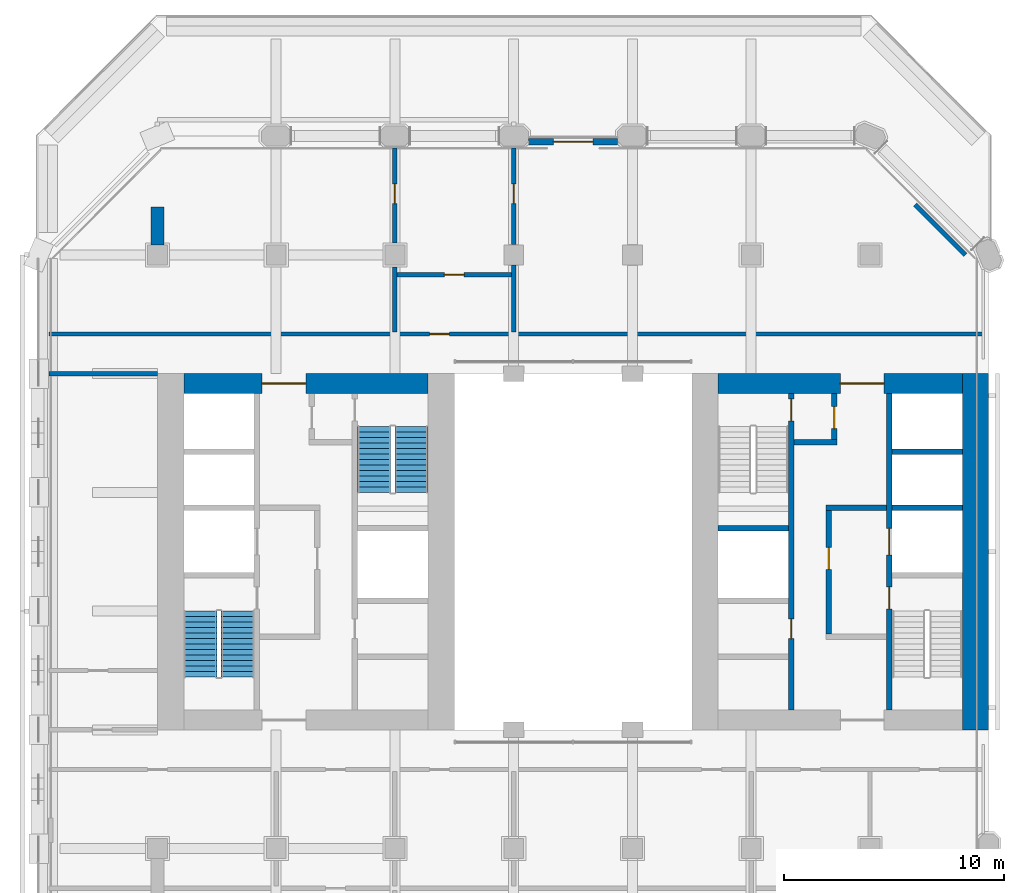
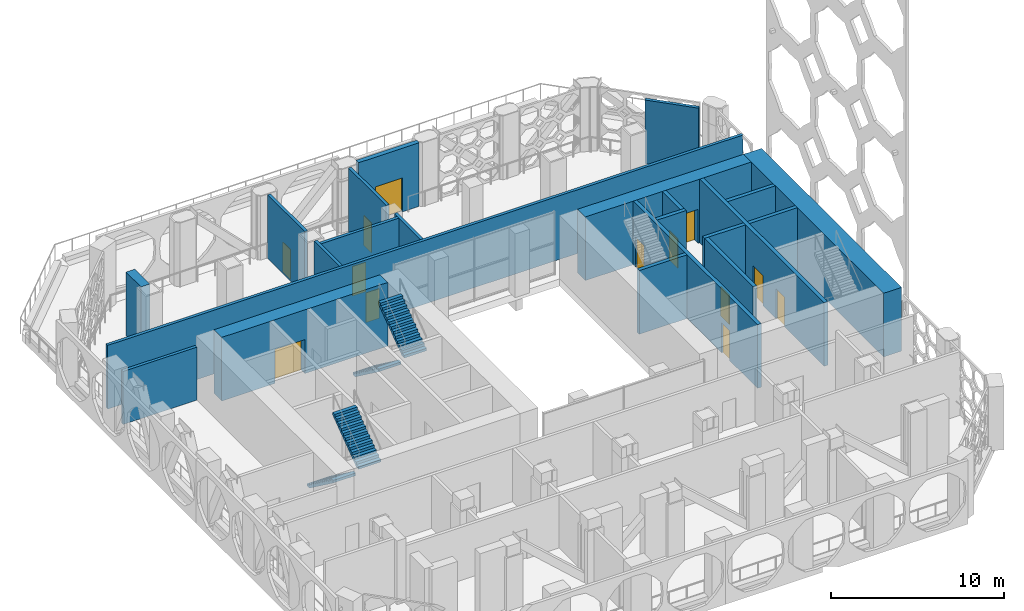
# One storey, part 10 of 17: 22 walls, 13 doors, 4 stair flights, 13 openings, 2 elements without a shape of their own.
"""IFC4 building model written with IfcOpenShell, lengths in metres."""

import ifcopenshell
import ifcopenshell.guid

model = None  # the IFC model being written
_history = None  # IfcOwnerHistory: only IFC2X3 demands one
_inside = {}  # id of a spatial element -> (the spatial element, [elements in it])
_under = {}  # id of a project, library or spatial element -> (it, [spatial elements below it])
_declared = {}  # id of a project -> (the project, [libraries it declares])
_typed = {}  # id of a type object -> (the type object, [elements of that type])
_made_of = {}  # id of a material, layer set ... -> (it, [elements and type objects made of it])


def new_model(schema):
    """Start an empty IFC model of exactly this schema.

    Asked for "IFC4X3", IfcOpenShell would pick the latest addendum, in which some entities
    have other attributes; the version numbers below select the first issue.
    IFC2X3 requires an IfcOwnerHistory on every rooted entity: one is made here for all.
    """
    global model, _history
    if schema == "IFC4X3":
        model = ifcopenshell.file(schema_version=(4, 3, 0, 0))
    else:
        model = ifcopenshell.file(schema=schema)
    _inside.clear()
    _under.clear()
    _declared.clear()
    _typed.clear()
    _made_of.clear()
    _history = None
    if model.schema == "IFC2X3":
        org = make("IfcOrganization", Name="unknown")
        user = make(
            "IfcPersonAndOrganization",
            ThePerson=make("IfcPerson", FamilyName="unknown"),
            TheOrganization=org,
        )
        app = make(
            "IfcApplication",
            ApplicationDeveloper=org,
            Version="unknown",
            ApplicationFullName="unknown",
            ApplicationIdentifier="unknown",
        )
        _history = make(
            "IfcOwnerHistory",
            OwningUser=user,
            OwningApplication=app,
            ChangeAction="ADDED",
            CreationDate=0,
        )
    return model


def make(cls, **values):
    """One entity of the class cls with the attributes given. An attribute that is None is left unset."""
    return model.create_entity(
        cls, **{name: value for name, value in values.items() if value is not None}
    )


def rooted(cls, **values):
    """An entity with a GlobalId (a new one), such as an element, a storey or a relation."""
    return make(cls, GlobalId=ifcopenshell.guid.new(), OwnerHistory=_history, **values)


def si_unit(unit_type, name, prefix=None):
    """IfcSIUnit, for example si_unit("LENGTHUNIT", "METRE", prefix="MILLI")."""
    return make("IfcSIUnit", UnitType=unit_type, Prefix=prefix, Name=name)


def assignment(units):
    """IfcUnitAssignment: the units of a project."""
    return None if units is None else make("IfcUnitAssignment", Units=units)


def point(xyz):
    """IfcCartesianPoint."""
    return None if xyz is None else make("IfcCartesianPoint", Coordinates=xyz)


def direction(xyz):
    """IfcDirection."""
    return None if xyz is None else make("IfcDirection", DirectionRatios=xyz)


def frame(location, z_axis=None, x_axis=None):
    """IfcAxis2Placement3D, a coordinate frame: its origin and axes. An axis left out is left unset."""
    return make(
        "IfcAxis2Placement3D",
        Location=point(location),
        Axis=direction(z_axis),
        RefDirection=direction(x_axis),
    )


def frame_2d(location, x_axis=None):
    """IfcAxis2Placement2D, a coordinate frame in the plane: its origin and x axis."""
    return make(
        "IfcAxis2Placement2D", Location=point(location), RefDirection=direction(x_axis)
    )


def origin():
    """The frame at (0, 0, 0) with its axes left unset."""
    return frame((0.0, 0.0, 0.0))


def place(relative_to, where):
    """IfcLocalPlacement: puts the frame where relative to a parent placement (None: the world)."""
    return make(
        "IfcLocalPlacement", PlacementRelTo=relative_to, RelativePlacement=where
    )


def context(
    kind, dimensions, precision=None, world=None, true_north=None, identifier=None
):
    """IfcGeometricRepresentationContext, for example the 3D "Model" context."""
    return make(
        "IfcGeometricRepresentationContext",
        ContextIdentifier=identifier,
        ContextType=kind,
        CoordinateSpaceDimension=dimensions,
        Precision=precision,
        WorldCoordinateSystem=world,
        TrueNorth=true_north,
    )


def subcontext(parent, identifier, kind, view, scale=None):
    """IfcGeometricRepresentationSubContext, for example "Body" below "Model"."""
    return make(
        "IfcGeometricRepresentationSubContext",
        ContextIdentifier=identifier,
        ContextType=kind,
        ParentContext=parent,
        TargetScale=scale,
        TargetView=view,
    )


def project(units=None, contexts=None):
    """IfcProject with its units and contexts."""
    return rooted(
        "IfcProject",
        Name="project",
        RepresentationContexts=contexts,
        UnitsInContext=assignment(units),
    )


def spatial(cls, under=None, at=None, **own):
    """A site, building, storey or space (cls), placed at a placement, below another one or the project."""
    s = rooted(cls, ObjectPlacement=at, **own)
    if under is not None:
        _under.setdefault(under.id(), (under, []))[1].append(s)
    return s


def polyline(points):
    """IfcPolyline through the points."""
    return make("IfcPolyline", Points=[point(p) for p in points])


def profile(cls, at=None, kind="AREA", **sizes):
    """A parametric profile (cls). Its sizes go by their IFC names, for example OverallWidth=200.0."""
    return make(cls, ProfileType=kind, Position=at, **sizes)


def rectangle(**sizes):
    """IfcRectangleProfileDef."""
    return profile("IfcRectangleProfileDef", **sizes)


def outline(outer, holes=None, kind="AREA"):
    """IfcArbitraryClosedProfileDef: a profile drawn as a closed curve; with holes, ...WithVoids."""
    if holes is None:
        return make("IfcArbitraryClosedProfileDef", ProfileType=kind, OuterCurve=outer)
    return make(
        "IfcArbitraryProfileDefWithVoids",
        ProfileType=kind,
        OuterCurve=outer,
        InnerCurves=holes,
    )


def extrude(swept, where, along, depth):
    """IfcExtrudedAreaSolid: the profile swept, set in the frame where, extruded along a direction by depth."""
    return make(
        "IfcExtrudedAreaSolid",
        SweptArea=swept,
        Position=where,
        ExtrudedDirection=direction(along),
        Depth=depth,
    )


def shape(context_of_items, identifier, shape_type, items):
    """IfcShapeRepresentation: the items that make up one representation, for example the "Body"."""
    return make(
        "IfcShapeRepresentation",
        ContextOfItems=context_of_items,
        RepresentationIdentifier=identifier,
        RepresentationType=shape_type,
        Items=items,
    )


def material(Name=None, Category=None):
    """IfcMaterial."""
    return make("IfcMaterial", Name=Name, Category=Category)


def layer(
    of_material, thickness, ventilated=None, Name=None, Category=None, Priority=None
):
    """IfcMaterialLayer: one layer of a wall or slab, of a material (None: an air gap)."""
    return make(
        "IfcMaterialLayer",
        Material=of_material,
        LayerThickness=thickness,
        IsVentilated=ventilated,
        Name=Name,
        Category=Category,
        Priority=Priority,
    )


def layer_set(layers, Name=None):
    """IfcMaterialLayerSet."""
    return make("IfcMaterialLayerSet", MaterialLayers=layers, LayerSetName=Name)


def made_of(thing, what):
    """Note that an element or type object is made of a material, layer set ...; save() writes the relation."""
    if what is not None:
        _made_of.setdefault(what.id(), (what, []))[1].append(thing)
    return thing


def type_object(cls, material=None, **own):
    """A type object (cls), such as IfcWallType, which elements share."""
    return made_of(rooted(cls, **own), material)


def element(
    cls,
    number,
    at=None,
    inside=None,
    cuts=None,
    type_object=None,
    material=None,
    context=None,
    identifier="Body",
    shape_type=None,
    held_by="IfcProductDefinitionShape",
    body=None,
    shapes=None,
    **own,
):
    """One element of the class cls, such as IfcWall. Its Tag is "e" and its number.

    at: its placement. inside: the storey or other place that contains it. cuts: it is an
    opening in that element (IfcRelVoidsElement). A single representation is given by context,
    identifier, shape_type and body (its items); several are given by shapes. held_by: the class
    of the entity that holds the representations. save() writes the other relations.
    """
    e = rooted(cls, Tag="e%d" % number, ObjectPlacement=at, **own)
    if body is not None:
        shapes = [shape(context, identifier, shape_type, body)]
    if shapes is not None:
        e.Representation = make(held_by, Representations=shapes)
    if inside is not None:
        _inside.setdefault(inside.id(), (inside, []))[1].append(e)
    if cuts is not None:
        rooted(
            "IfcRelVoidsElement", RelatingBuildingElement=cuts, RelatedOpeningElement=e
        )
    if type_object is not None:
        _typed.setdefault(type_object.id(), (type_object, []))[1].append(e)
    return made_of(e, material)


def fill(opening, filler):
    """IfcRelFillsElement: the door or window that sits in an opening."""
    return rooted(
        "IfcRelFillsElement",
        RelatingOpeningElement=opening,
        RelatedBuildingElement=filler,
    )


def aggregate(whole, parts):
    """IfcRelAggregates: a whole, such as a stair, and the parts it consists of."""
    return rooted("IfcRelAggregates", RelatingObject=whole, RelatedObjects=parts)


def save(model, path):
    """Write the relations noted so far, then the file.

    IfcRelAggregates (storeys below a building ...), IfcRelContainedInSpatialStructure (elements
    in a storey), IfcRelDefinesByType, IfcRelAssociatesMaterial and IfcRelDeclares: one each for
    every whole, place, type object, material and project.
    """
    for whole, parts in _under.values():
        aggregate(whole, parts)
    for where, things in _inside.values():
        rooted(
            "IfcRelContainedInSpatialStructure",
            RelatedElements=things,
            RelatingStructure=where,
        )
    for kind, things in _typed.values():
        rooted("IfcRelDefinesByType", RelatedObjects=things, RelatingType=kind)
    for what, things in _made_of.values():
        rooted("IfcRelAssociatesMaterial", RelatedObjects=things, RelatingMaterial=what)
    for by, libraries in _declared.values():
        rooted("IfcRelDeclares", RelatingContext=by, RelatedDefinitions=libraries)
    model.write(path)


model = new_model("IFC4")

# Units and contexts
model_context = context("Model", 3, precision=1e-05, world=origin(), true_north=direction((0.0, 1.0)))
body_context = subcontext(model_context, "Body", "Model", "MODEL_VIEW")
ifc_project = project(units=[si_unit("LENGTHUNIT", "METRE"), si_unit("AREAUNIT", "SQUARE_METRE"), si_unit("VOLUMEUNIT", "CUBIC_METRE"), si_unit("PLANEANGLEUNIT", "RADIAN"), si_unit("MASSUNIT", "GRAM", prefix="KILO")], contexts=[model_context])

# Site, building, storey
site_placement = place(None, origin())
site = spatial("IfcSite", under=ifc_project, at=site_placement, CompositionType="ELEMENT")
building_placement = place(site_placement, origin())
building = spatial("IfcBuilding", under=site, at=building_placement, Name="Tabaq Tower and Sports Hall", CompositionType="ELEMENT")
storey_placement = place(building_placement, frame((0.0, 0.0, 125.800048828125)))
storey = spatial("IfcBuildingStorey", under=building, at=storey_placement, Name="L30", CompositionType="ELEMENT", Elevation=125.800048828125)

# Wall
ifc_material_1 = material(Name="Concrete C50/60", Category="concrete")
ifc_layer_1 = layer(ifc_material_1, 1.199951171875)
ifc_layer_set_1 = layer_set([ifc_layer_1], Name="Core wall 1200 Concrete C50/60")
wall_type_1 = type_object("IfcWallType", Name="Core wall 1200 Concrete C50/60", PredefinedType="SOLIDWALL", material=ifc_layer_set_1)
wall_1_placement = place(storey_placement, frame((42.60009765625, 32.39990234375, 0.0), z_axis=(0.0, 0.0, 1.0), x_axis=(0.0, -1.0, 0.0)))
element("IfcWall", 1, at=wall_1_placement, inside=storey, type_object=wall_type_1, Name="Core wall E L30", PredefinedType="SOLIDWALL", context=body_context, shape_type="SweptSolid", body=[
    extrude(rectangle(XDim=16.199951171875, YDim=1.199951171875, at=frame_2d((8.10009765625, 0.0))), origin(), (0.0, 0.0, 1.0), 4.5),
])

# Wall, opening, door
ifc_material_2 = material(Name="Concrete C50/60", Category="concrete")
ifc_layer_2 = layer(ifc_material_2, 0.89990234375)
ifc_layer_set_2 = layer_set([ifc_layer_2], Name="Core wall 900 Concrete C50/60")
wall_type_2 = type_object("IfcWallType", Name="Core wall 900 Concrete C50/60", PredefinedType="SOLIDWALL", material=ifc_layer_set_2)
wall_2_placement = place(storey_placement, frame((6.60009765625, 31.949951171875, 0.0), z_axis=(0.0, 0.0, 1.0), x_axis=(1.0, 0.0, 0.0)))
wall_2 = element("IfcWall", 2, at=wall_2_placement, inside=storey, type_object=wall_type_2, Name="Core wall W L30", PredefinedType="SOLIDWALL", context=body_context, shape_type="SweptSolid", body=[
    extrude(rectangle(XDim=11.099853515625, YDim=0.89990234375, at=frame_2d((5.5498046875, 0.0))), origin(), (0.0, 0.0, 1.0), 4.5),
])
opening_1_placement = place(wall_2_placement, frame((3.550048828125, 0.0, 0.0)))
opening_1 = element("IfcOpeningElement", 3, at=opening_1_placement, cuts=wall_2, Name="Opening PD-WL30-02", PredefinedType="OPENING", context=body_context, shape_type="SweptSolid", body=[
    extrude(rectangle(XDim=2.0, YDim=2.39990234375, at=frame_2d((1.0, 1.199951171875))), frame((0.0, 0.449951171875, 0.0), z_axis=(0.0, -1.0, 0.0), x_axis=(1.0, 0.0, 0.0)), (0.0, 0.0, 1.0), 0.89990234375),
])
ifc_material_3 = material(Name="Steel fire door", Category="steel")
door_type_1 = type_object("IfcDoorType", Name="Core entrance door 2000", OperationType="DOUBLE_DOOR_SINGLE_SWING", PredefinedType="DOOR", material=ifc_material_3)
door_1_placement = place(opening_1_placement, origin())
door_1 = element("IfcDoor", 4, at=door_1_placement, inside=storey, type_object=door_type_1, Name="Core entrance north W L30", OperationType="DOUBLE_DOOR_SINGLE_SWING", OverallHeight=2.39990234375, OverallWidth=2.0, PredefinedType="DOOR", context=body_context, shape_type="SweptSolid", body=[
    extrude(rectangle(XDim=2.0, YDim=2.39990234375, at=frame_2d((1.0, 1.199951171875))), frame((0.0, 0.02490234375, 0.0), z_axis=(0.0, -1.0, 0.0), x_axis=(1.0, 0.0, 0.0)), (0.0, 0.0, 1.0), 0.050048828125),
])
fill(opening_1, door_1)

wall_3_placement = place(storey_placement, frame((30.89990234375, 31.949951171875, 0.0), z_axis=(0.0, 0.0, 1.0), x_axis=(1.0, 0.0, 0.0)))
wall_3 = element("IfcWall", 5, at=wall_3_placement, inside=storey, type_object=wall_type_2, Name="Core wall E L30", PredefinedType="SOLIDWALL", context=body_context, shape_type="SweptSolid", body=[
    extrude(rectangle(XDim=11.10009765625, YDim=0.89990234375, at=frame_2d((5.550048828125, 0.0))), origin(), (0.0, 0.0, 1.0), 4.5),
])
opening_2_placement = place(wall_3_placement, frame((5.550048828125, 0.0, 0.0)))
opening_2 = element("IfcOpeningElement", 6, at=opening_2_placement, cuts=wall_3, Name="Opening PD-EL30-02", PredefinedType="OPENING", context=body_context, shape_type="SweptSolid", body=[
    extrude(rectangle(XDim=2.0, YDim=2.39990234375, at=frame_2d((1.0, 1.199951171875))), frame((0.0, 0.449951171875, 0.0), z_axis=(0.0, -1.0, 0.0), x_axis=(1.0, 0.0, 0.0)), (0.0, 0.0, 1.0), 0.89990234375),
])
door_2_placement = place(opening_2_placement, origin())
door_2 = element("IfcDoor", 7, at=door_2_placement, inside=storey, type_object=door_type_1, Name="Core entrance north E L30", OperationType="DOUBLE_DOOR_SINGLE_SWING", OverallHeight=2.39990234375, OverallWidth=2.0, PredefinedType="DOOR", context=body_context, shape_type="SweptSolid", body=[
    extrude(rectangle(XDim=2.0, YDim=2.39990234375, at=frame_2d((1.0, 1.199951171875))), frame((0.0, 0.02490234375, 0.0), z_axis=(0.0, -1.0, 0.0), x_axis=(1.0, 0.0, 0.0)), (0.0, 0.0, 1.0), 0.050048828125),
])
fill(opening_2, door_2)

ifc_material_4 = material(Name="Blockwork", Category="masonry")
ifc_layer_3 = layer(ifc_material_4, 0.199951171875)
ifc_layer_set_3 = layer_set([ifc_layer_3], Name="Fire compartment wall 200 Blockwork")
wall_type_3 = type_object("IfcWallType", Name="Fire compartment wall 200 Blockwork", PredefinedType="PARTITIONING", material=ifc_layer_set_3)
wall_4_placement = place(storey_placement, frame((42.949951171875, 34.199951171875, 0.0), z_axis=(0.0, 0.0, 1.0), x_axis=(-1.0, 0.0, 0.0)))
wall_4 = element("IfcWall", 8, at=wall_4_placement, inside=storey, type_object=wall_type_3, Name="Compartment wall L30", PredefinedType="PARTITIONING", context=body_context, shape_type="SweptSolid", body=[
    extrude(rectangle(XDim=42.469970703125, YDim=0.199951171875, at=frame_2d((21.23486328125, 0.0))), origin(), (0.0, 0.0, 1.0), 4.5),
])
opening_3_placement = place(wall_4_placement, frame((24.27490234375, 0.0, 0.0)))
opening_3 = element("IfcOpeningElement", 9, at=opening_3_placement, cuts=wall_4, Name="Opening L30-012", PredefinedType="OPENING", context=body_context, shape_type="SweptSolid", body=[
    extrude(rectangle(XDim=0.89990234375, YDim=2.10009765625, at=frame_2d((0.449951171875, 1.050048828125))), frame((0.0, 0.10009765625, 0.0), z_axis=(0.0, -1.0, 0.0), x_axis=(1.0, 0.0, 0.0)), (0.0, 0.0, 1.0), 0.199951171875),
])
ifc_material_5 = material(Name="Steel fire door", Category="steel")
door_type_2 = type_object("IfcDoorType", Name="Plant room door 900 left hand", OperationType="SINGLE_SWING_LEFT", PredefinedType="DOOR", material=ifc_material_5)
door_3_placement = place(opening_3_placement, origin())
door_3 = element("IfcDoor", 10, at=door_3_placement, inside=storey, type_object=door_type_2, Name="Plant room door L30-012", OperationType="SINGLE_SWING_LEFT", OverallHeight=2.10009765625, OverallWidth=0.89990234375, PredefinedType="DOOR", context=body_context, shape_type="SweptSolid", body=[
    extrude(rectangle(XDim=0.89990234375, YDim=2.10009765625, at=frame_2d((0.449951171875, 1.050048828125))), frame((0.0, 0.02490234375, 0.0), z_axis=(0.0, -1.0, 0.0), x_axis=(1.0, 0.0, 0.0)), (0.0, 0.0, 1.0), 0.050048828125),
])
fill(opening_3, door_3)

# Wall
wall_5_placement = place(storey_placement, frame((0.47998046875, 32.39990234375, 0.0), z_axis=(0.0, 0.0, 1.0), x_axis=(1.0, 0.0, 0.0)))
element("IfcWall", 11, at=wall_5_placement, inside=storey, type_object=wall_type_3, Name="Compartment wall L30", PredefinedType="PARTITIONING", context=body_context, shape_type="SweptSolid", body=[
    extrude(rectangle(XDim=4.919921875, YDim=0.199951171875, at=frame_2d((2.4599609375, 0.0))), origin(), (0.0, 0.0, 1.0), 3.75),
])

# Wall, opening, door
wall_6_placement = place(storey_placement, frame((16.199951171875, 42.64990234375, 0.0), z_axis=(0.0, 0.0, 1.0), x_axis=(0.0, -1.0, 0.0)))
wall_6 = element("IfcWall", 12, at=wall_6_placement, inside=storey, type_object=wall_type_3, Name="Compartment wall L30", PredefinedType="PARTITIONING", context=body_context, shape_type="SweptSolid", body=[
    extrude(rectangle(XDim=4.29931640625, YDim=0.199951171875, at=frame_2d((2.149658203125, 0.0))), origin(), (0.0, 0.0, 1.0), 4.5),
])
opening_4_placement = place(wall_6_placement, frame((1.625, 0.0, 0.0)))
opening_4 = element("IfcOpeningElement", 13, at=opening_4_placement, cuts=wall_6, Name="Opening L30-006", PredefinedType="OPENING", context=body_context, shape_type="SweptSolid", body=[
    extrude(rectangle(XDim=0.89990234375, YDim=2.10009765625, at=frame_2d((0.449951171875, 1.050048828125))), frame((0.0, 0.10009765625, 0.0), z_axis=(0.0, -1.0, 0.0), x_axis=(1.0, 0.0, 0.0)), (0.0, 0.0, 1.0), 0.199951171875),
])
ifc_material_6 = material(Name="Steel fire door", Category="steel")
door_type_3 = type_object("IfcDoorType", Name="Refuge holding area door 900 right hand", OperationType="SINGLE_SWING_RIGHT", PredefinedType="DOOR", material=ifc_material_6)
door_4_placement = place(opening_4_placement, origin())
door_4 = element("IfcDoor", 14, at=door_4_placement, inside=storey, type_object=door_type_3, Name="Refuge holding area door L30-006", OperationType="SINGLE_SWING_RIGHT", OverallHeight=2.10009765625, OverallWidth=0.89990234375, PredefinedType="DOOR", context=body_context, shape_type="SweptSolid", body=[
    extrude(rectangle(XDim=0.89990234375, YDim=2.10009765625, at=frame_2d((0.449951171875, 1.050048828125))), frame((0.0, 0.02490234375, 0.0), z_axis=(0.0, -1.0, 0.0), x_axis=(1.0, 0.0, 0.0)), (0.0, 0.0, 1.0), 0.050048828125),
])
fill(opening_4, door_4)

# Wall
wall_7_placement = place(storey_placement, frame((16.199951171875, 37.249267578125, 0.0), z_axis=(0.0, 0.0, 1.0), x_axis=(0.0, -1.0, 0.0)))
element("IfcWall", 15, at=wall_7_placement, inside=storey, type_object=wall_type_3, Name="Compartment wall L30", PredefinedType="PARTITIONING", context=body_context, shape_type="SweptSolid", body=[
    extrude(rectangle(XDim=2.94921875, YDim=0.199951171875, at=frame_2d((1.474609375, 0.0))), origin(), (0.0, 0.0, 1.0), 4.5),
])

# Wall, opening, door
wall_8_placement = place(storey_placement, frame((21.60009765625, 42.64990234375, 0.0), z_axis=(0.0, 0.0, 1.0), x_axis=(0.0, -1.0, 0.0)))
wall_8 = element("IfcWall", 16, at=wall_8_placement, inside=storey, type_object=wall_type_3, Name="Compartment wall L30", PredefinedType="PARTITIONING", context=body_context, shape_type="SweptSolid", body=[
    extrude(rectangle(XDim=4.3798828125, YDim=0.199951171875, at=frame_2d((2.18994140625, 0.0))), origin(), (0.0, 0.0, 1.0), 4.5),
])
opening_5_placement = place(wall_8_placement, frame((1.625, 0.0, 0.0)))
opening_5 = element("IfcOpeningElement", 17, at=opening_5_placement, cuts=wall_8, Name="Opening L30-007", PredefinedType="OPENING", context=body_context, shape_type="SweptSolid", body=[
    extrude(rectangle(XDim=0.89990234375, YDim=2.10009765625, at=frame_2d((0.449951171875, 1.050048828125))), frame((0.0, 0.10009765625, 0.0), z_axis=(0.0, -1.0, 0.0), x_axis=(1.0, 0.0, 0.0)), (0.0, 0.0, 1.0), 0.199951171875),
])
ifc_material_7 = material(Name="Steel fire door", Category="steel")
door_type_4 = type_object("IfcDoorType", Name="Refuge holding area door 900 left hand", OperationType="SINGLE_SWING_LEFT", PredefinedType="DOOR", material=ifc_material_7)
door_5_placement = place(opening_5_placement, origin())
door_5 = element("IfcDoor", 18, at=door_5_placement, inside=storey, type_object=door_type_4, Name="Refuge holding area door L30-007", OperationType="SINGLE_SWING_LEFT", OverallHeight=2.10009765625, OverallWidth=0.89990234375, PredefinedType="DOOR", context=body_context, shape_type="SweptSolid", body=[
    extrude(rectangle(XDim=0.89990234375, YDim=2.10009765625, at=frame_2d((0.449951171875, 1.050048828125))), frame((0.0, 0.02490234375, 0.0), z_axis=(0.0, -1.0, 0.0), x_axis=(1.0, 0.0, 0.0)), (0.0, 0.0, 1.0), 0.050048828125),
])
fill(opening_5, door_5)

wall_9_placement = place(storey_placement, frame((21.5, 36.89990234375, 0.0), z_axis=(0.0, 0.0, 1.0), x_axis=(-1.0, 0.0, 0.0)))
wall_9 = element("IfcWall", 19, at=wall_9_placement, inside=storey, type_object=wall_type_3, Name="Compartment wall L30", PredefinedType="PARTITIONING", context=body_context, shape_type="SweptSolid", body=[
    extrude(rectangle(XDim=5.199951171875, YDim=0.199951171875, at=frame_2d((2.60009765625, 0.0))), origin(), (0.0, 0.0, 1.0), 4.5),
])
opening_6_placement = place(wall_9_placement, frame((2.14990234375, 0.0, 0.0)))
opening_6 = element("IfcOpeningElement", 20, at=opening_6_placement, cuts=wall_9, Name="Opening L30-013", PredefinedType="OPENING", context=body_context, shape_type="SweptSolid", body=[
    extrude(rectangle(XDim=0.89990234375, YDim=2.10009765625, at=frame_2d((0.449951171875, 1.050048828125))), frame((0.0, 0.10009765625, 0.0), z_axis=(0.0, -1.0, 0.0), x_axis=(1.0, 0.0, 0.0)), (0.0, 0.0, 1.0), 0.199951171875),
])
door_6_placement = place(opening_6_placement, origin())
door_6 = element("IfcDoor", 21, at=door_6_placement, inside=storey, type_object=door_type_4, Name="Refuge holding area door L30-013", OperationType="SINGLE_SWING_LEFT", OverallHeight=2.10009765625, OverallWidth=0.89990234375, PredefinedType="DOOR", context=body_context, shape_type="SweptSolid", body=[
    extrude(rectangle(XDim=0.89990234375, YDim=2.10009765625, at=frame_2d((0.449951171875, 1.050048828125))), frame((0.0, 0.02490234375, 0.0), z_axis=(0.0, -1.0, 0.0), x_axis=(1.0, 0.0, 0.0)), (0.0, 0.0, 1.0), 0.050048828125),
])
fill(opening_6, door_6)

# Walls
wall_10_placement = place(storey_placement, frame((21.60009765625, 37.330078125, 0.0), z_axis=(0.0, 0.0, 1.0), x_axis=(0.0, -1.0, 0.0)))
element("IfcWall", 22, at=wall_10_placement, inside=storey, type_object=wall_type_3, Name="Compartment wall L30", PredefinedType="PARTITIONING", context=body_context, shape_type="SweptSolid", body=[
    extrude(rectangle(XDim=3.030029296875, YDim=0.199951171875, at=frame_2d((1.51513671875, 0.0))), origin(), (0.0, 0.0, 1.0), 4.5),
])
wall_11_placement = place(storey_placement, frame((39.860107421875, 40.079345703125, 0.0), z_axis=(0.0, 0.0, 1.0), x_axis=(0.707106781187, -0.707106781187, 0.0)))
element("IfcWall", 23, at=wall_11_placement, inside=storey, type_object=wall_type_3, Name="Compartment wall L30", PredefinedType="PARTITIONING", context=body_context, shape_type="SweptSolid", body=[
    extrude(rectangle(XDim=3.2177734375, YDim=0.199951171875, at=frame_2d((1.60888671875, 0.0))), origin(), (0.0, 0.0, 1.0), 4.5),
])
ifc_material_8 = material(Name="Concrete C50/60", Category="concrete")
ifc_layer_4 = layer(ifc_material_8, 0.60009765625)
ifc_layer_set_4 = layer_set([ifc_layer_4], Name="RC TRANSFER WALL 600 C50/60")
wall_type_4 = type_object("IfcWallType", Name="RC TRANSFER WALL 600 C50/60", PredefinedType="SHEAR", material=ifc_layer_set_4)
wall_12_placement = place(storey_placement, frame((5.39990234375, 38.25, 0.0), z_axis=(0.0, 0.0, 1.0), x_axis=(0.0, 1.0, 0.0)))
element("IfcWall", 24, at=wall_12_placement, inside=storey, type_object=wall_type_4, Name="Transfer Wall L30 West 3", PredefinedType="SHEAR", context=body_context, shape_type="SweptSolid", body=[
    extrude(rectangle(XDim=1.72509765625, YDim=0.60009765625, at=frame_2d((0.862548828125, 0.0))), origin(), (0.0, 0.0, 1.0), 4.5),
])

# Wall, openings, doors
ifc_material_9 = material(Name="Concrete C40/50", Category="concrete")
ifc_layer_5 = layer(ifc_material_9, 0.25)
ifc_layer_set_5 = layer_set([ifc_layer_5], Name="Shaft and stair wall 250 Concrete C40/50")
wall_type_5 = type_object("IfcWallType", Name="Shaft and stair wall 250 Concrete C40/50", PredefinedType="SOLIDWALL", material=ifc_layer_set_5)
wall_13_placement = place(storey_placement, frame((38.675048828125, 17.10009765625, 0.0), z_axis=(0.0, 0.0, 1.0), x_axis=(0.0, 1.0, 0.0)))
wall_13 = element("IfcWall", 25, at=wall_13_placement, inside=storey, type_object=wall_type_5, Name="Shaft wall E L30", PredefinedType="SOLIDWALL", context=body_context, shape_type="SweptSolid", body=[
    extrude(rectangle(XDim=14.39990234375, YDim=0.25, at=frame_2d((7.199951171875, 0.0))), origin(), (0.0, 0.0, 1.0), 4.5),
])
opening_7_placement = place(wall_13_placement, frame((4.60009765625, 0.0, 0.0)))
opening_7 = element("IfcOpeningElement", 26, at=opening_7_placement, cuts=wall_13, Name="Opening SD-EL30-03", PredefinedType="OPENING", context=body_context, shape_type="SweptSolid", body=[
    extrude(rectangle(XDim=1.0, YDim=2.10009765625, at=frame_2d((0.5, 1.050048828125))), frame((0.0, 0.125, 0.0), z_axis=(0.0, -1.0, 0.0), x_axis=(1.0, 0.0, 0.0)), (0.0, 0.0, 1.0), 0.25),
])
opening_8_placement = place(wall_13_placement, frame((7.0625, 0.0, 0.0)))
opening_8 = element("IfcOpeningElement", 27, at=opening_8_placement, cuts=wall_13, Name="Opening LD-FF2-L30", PredefinedType="OPENING", context=body_context, shape_type="SweptSolid", body=[
    extrude(rectangle(XDim=1.199951171875, YDim=2.10009765625, at=frame_2d((0.60009765625, 1.050048828125))), frame((0.0, 0.125, 0.0), z_axis=(0.0, -1.0, 0.0), x_axis=(1.0, 0.0, 0.0)), (0.0, 0.0, 1.0), 0.25),
])
ifc_material_10 = material(Name="Stainless steel", Category="steel")
door_type_5 = type_object("IfcDoorType", Name="Lift landing door 1200", OperationType="DOUBLE_DOOR_SLIDING", PredefinedType="DOOR", material=ifc_material_10)
door_7_placement = place(opening_8_placement, origin())
door_7 = element("IfcDoor", 28, at=door_7_placement, inside=storey, type_object=door_type_5, Name="Lift landing door FF2 E L30", OperationType="DOUBLE_DOOR_SLIDING", OverallHeight=2.10009765625, OverallWidth=1.199951171875, PredefinedType="DOOR", context=body_context, shape_type="SweptSolid", body=[
    extrude(rectangle(XDim=1.199951171875, YDim=2.10009765625, at=frame_2d((0.60009765625, 1.050048828125))), frame((0.0, 0.02490234375, 0.0), z_axis=(0.0, -1.0, 0.0), x_axis=(1.0, 0.0, 0.0)), (0.0, 0.0, 1.0), 0.050048828125),
])
fill(opening_8, door_7)
ifc_material_11 = material(Name="Steel fire door", Category="steel")
door_type_6 = type_object("IfcDoorType", Name="Stair door 1000", OperationType="SINGLE_SWING_LEFT", PredefinedType="DOOR", material=ifc_material_11)
door_8_placement = place(opening_7_placement, origin())
door_8 = element("IfcDoor", 29, at=door_8_placement, inside=storey, type_object=door_type_6, Name="Stair door ST3 E L30", OperationType="SINGLE_SWING_LEFT", OverallHeight=2.10009765625, OverallWidth=1.0, PredefinedType="DOOR", context=body_context, shape_type="SweptSolid", body=[
    extrude(rectangle(XDim=1.0, YDim=2.10009765625, at=frame_2d((0.5, 1.050048828125))), frame((0.0, 0.02490234375, 0.0), z_axis=(0.0, -1.0, 0.0), x_axis=(1.0, 0.0, 0.0)), (0.0, 0.0, 1.0), 0.050048828125),
])
fill(opening_7, door_8)

wall_14_placement = place(storey_placement, frame((34.22509765625, 17.10009765625, 0.0), z_axis=(0.0, 0.0, 1.0), x_axis=(0.0, 1.0, 0.0)))
wall_14 = element("IfcWall", 30, at=wall_14_placement, inside=storey, type_object=wall_type_5, Name="Shaft wall E L30", PredefinedType="SOLIDWALL", context=body_context, shape_type="SweptSolid", body=[
    extrude(rectangle(XDim=14.39990234375, YDim=0.25, at=frame_2d((7.199951171875, 0.0))), origin(), (0.0, 0.0, 1.0), 4.5),
])
opening_9_placement = place(wall_14_placement, frame((13.14990234375, 0.0, 0.0)))
opening_9 = element("IfcOpeningElement", 31, at=opening_9_placement, cuts=wall_14, Name="Opening SD-EL30-05", PredefinedType="OPENING", context=body_context, shape_type="SweptSolid", body=[
    extrude(rectangle(XDim=1.0, YDim=2.10009765625, at=frame_2d((0.5, 1.050048828125))), frame((0.0, 0.125, 0.0), z_axis=(0.0, -1.0, 0.0), x_axis=(1.0, 0.0, 0.0)), (0.0, 0.0, 1.0), 0.25),
])
opening_10_placement = place(wall_14_placement, frame((3.25, 0.0, 0.0)))
opening_10 = element("IfcOpeningElement", 32, at=opening_10_placement, cuts=wall_14, Name="Opening RD-EL30-08", PredefinedType="OPENING", context=body_context, shape_type="SweptSolid", body=[
    extrude(rectangle(XDim=0.89990234375, YDim=2.10009765625, at=frame_2d((0.449951171875, 1.050048828125))), frame((0.0, 0.125, 0.0), z_axis=(0.0, -1.0, 0.0), x_axis=(1.0, 0.0, 0.0)), (0.0, 0.0, 1.0), 0.25),
])
ifc_material_12 = material(Name="Steel fire door", Category="steel")
door_type_7 = type_object("IfcDoorType", Name="Core room door 900", OperationType="SINGLE_SWING_LEFT", PredefinedType="DOOR", material=ifc_material_12)
door_9_placement = place(opening_10_placement, origin())
door_9 = element("IfcDoor", 33, at=door_9_placement, inside=storey, type_object=door_type_7, Name="Door Cleaner's Store E L30", OperationType="SINGLE_SWING_LEFT", OverallHeight=2.10009765625, OverallWidth=0.89990234375, PredefinedType="DOOR", context=body_context, shape_type="SweptSolid", body=[
    extrude(rectangle(XDim=0.89990234375, YDim=2.10009765625, at=frame_2d((0.449951171875, 1.050048828125))), frame((0.0, 0.02490234375, 0.0), z_axis=(0.0, -1.0, 0.0), x_axis=(1.0, 0.0, 0.0)), (0.0, 0.0, 1.0), 0.050048828125),
])
fill(opening_10, door_9)
door_10_placement = place(opening_9_placement, origin())
door_10 = element("IfcDoor", 34, at=door_10_placement, inside=storey, type_object=door_type_6, Name="Stair door ST4 E L30", OperationType="SINGLE_SWING_LEFT", OverallHeight=2.10009765625, OverallWidth=1.0, PredefinedType="DOOR", context=body_context, shape_type="SweptSolid", body=[
    extrude(rectangle(XDim=1.0, YDim=2.10009765625, at=frame_2d((0.5, 1.050048828125))), frame((0.0, 0.02490234375, 0.0), z_axis=(0.0, -1.0, 0.0), x_axis=(1.0, 0.0, 0.0)), (0.0, 0.0, 1.0), 0.050048828125),
])
fill(opening_9, door_10)

# Walls
wall_15_placement = place(storey_placement, frame((30.89990234375, 25.375, 0.0), z_axis=(0.0, 0.0, 1.0), x_axis=(1.0, 0.0, 0.0)))
element("IfcWall", 35, at=wall_15_placement, inside=storey, type_object=wall_type_5, Name="Stair enclosure wall E L30", PredefinedType="SOLIDWALL", context=body_context, shape_type="SweptSolid", body=[
    extrude(rectangle(XDim=3.2001953125, YDim=0.25, at=frame_2d((1.60009765625, 0.0))), origin(), (0.0, 0.0, 1.0), 4.5),
])
wall_16_placement = place(storey_placement, frame((38.800048828125, 26.300048828125, 0.0), z_axis=(0.0, 0.0, 1.0), x_axis=(1.0, 0.0, 0.0)))
element("IfcWall", 36, at=wall_16_placement, inside=storey, type_object=wall_type_5, Name="Shaft wall E L30", PredefinedType="SOLIDWALL", context=body_context, shape_type="SweptSolid", body=[
    extrude(rectangle(XDim=3.199951171875, YDim=0.25, at=frame_2d((1.60009765625, 0.0))), origin(), (0.0, 0.0, 1.0), 4.5),
])
wall_17_placement = place(storey_placement, frame((35.800048828125, 26.300048828125, 0.0), z_axis=(0.0, 0.0, 1.0), x_axis=(1.0, 0.0, 0.0)))
element("IfcWall", 37, at=wall_17_placement, inside=storey, type_object=wall_type_5, Name="Fire-fighting lobby wall E L30", PredefinedType="SOLIDWALL", context=body_context, shape_type="SweptSolid", body=[
    extrude(rectangle(XDim=2.75, YDim=0.25, at=frame_2d((1.375, 0.0))), origin(), (0.0, 0.0, 1.0), 4.5),
])

# Wall, opening, door
wall_18_placement = place(storey_placement, frame((36.175048828125, 29.39990234375, 0.0), z_axis=(0.0, 0.0, 1.0), x_axis=(0.0, 1.0, 0.0)))
wall_18 = element("IfcWall", 38, at=wall_18_placement, inside=storey, type_object=wall_type_5, Name="Fire-fighting lobby wall E L30", PredefinedType="SOLIDWALL", context=body_context, shape_type="SweptSolid", body=[
    extrude(rectangle(XDim=2.10009765625, YDim=0.25, at=frame_2d((1.050048828125, 0.0))), origin(), (0.0, 0.0, 1.0), 4.5),
])
opening_11_placement = place(wall_18_placement, frame((0.5, 0.0, 0.0)))
opening_11 = element("IfcOpeningElement", 39, at=opening_11_placement, cuts=wall_18, Name="Opening FD-EL30-06", PredefinedType="OPENING", context=body_context, shape_type="SweptSolid", body=[
    extrude(rectangle(XDim=1.0, YDim=2.10009765625, at=frame_2d((0.5, 1.050048828125))), frame((0.0, 0.125, 0.0), z_axis=(0.0, -1.0, 0.0), x_axis=(1.0, 0.0, 0.0)), (0.0, 0.0, 1.0), 0.25),
])
ifc_material_13 = material(Name="Steel fire door", Category="steel")
door_type_8 = type_object("IfcDoorType", Name="Fire-fighting lobby door 1000", OperationType="SINGLE_SWING_LEFT", PredefinedType="DOOR", material=ifc_material_13)
door_11_placement = place(opening_11_placement, origin())
door_11 = element("IfcDoor", 40, at=door_11_placement, inside=storey, type_object=door_type_8, Name="Stair lobby door E L30", OperationType="SINGLE_SWING_LEFT", OverallHeight=2.10009765625, OverallWidth=1.0, PredefinedType="DOOR", context=body_context, shape_type="SweptSolid", body=[
    extrude(rectangle(XDim=1.0, YDim=2.10009765625, at=frame_2d((0.5, 1.050048828125))), frame((0.0, 0.02490234375, 0.0), z_axis=(0.0, -1.0, 0.0), x_axis=(1.0, 0.0, 0.0)), (0.0, 0.0, 1.0), 0.050048828125),
])
fill(opening_11, door_11)

# Wall
wall_19_placement = place(storey_placement, frame((34.35009765625, 29.27490234375, 0.0), z_axis=(0.0, 0.0, 1.0), x_axis=(1.0, 0.0, 0.0)))
element("IfcWall", 41, at=wall_19_placement, inside=storey, type_object=wall_type_5, Name="Fire-fighting lobby wall E L30", PredefinedType="SOLIDWALL", context=body_context, shape_type="SweptSolid", body=[
    extrude(rectangle(XDim=1.949951171875, YDim=0.25, at=frame_2d((0.97509765625, 0.0))), origin(), (0.0, 0.0, 1.0), 4.5),
])

# Wall, opening, door
wall_20_placement = place(storey_placement, frame((35.925048828125, 20.550048828125, 0.0), z_axis=(0.0, 0.0, 1.0), x_axis=(0.0, 1.0, 0.0)))
wall_20 = element("IfcWall", 42, at=wall_20_placement, inside=storey, type_object=wall_type_5, Name="Fire-fighting lobby wall E L30", PredefinedType="SOLIDWALL", context=body_context, shape_type="SweptSolid", body=[
    extrude(rectangle(XDim=5.625, YDim=0.25, at=frame_2d((2.8125, 0.0))), origin(), (0.0, 0.0, 1.0), 4.5),
])
opening_12_placement = place(wall_20_placement, frame((2.949951171875, 0.0, 0.0)))
opening_12 = element("IfcOpeningElement", 43, at=opening_12_placement, cuts=wall_20, Name="Opening FD-EL30-04", PredefinedType="OPENING", context=body_context, shape_type="SweptSolid", body=[
    extrude(rectangle(XDim=1.0, YDim=2.10009765625, at=frame_2d((0.5, 1.050048828125))), frame((0.0, 0.125, 0.0), z_axis=(0.0, -1.0, 0.0), x_axis=(1.0, 0.0, 0.0)), (0.0, 0.0, 1.0), 0.25),
])
door_12_placement = place(opening_12_placement, origin())
door_12 = element("IfcDoor", 44, at=door_12_placement, inside=storey, type_object=door_type_8, Name="Fire-fighting lobby door E L30", OperationType="SINGLE_SWING_LEFT", OverallHeight=2.10009765625, OverallWidth=1.0, PredefinedType="DOOR", context=body_context, shape_type="SweptSolid", body=[
    extrude(rectangle(XDim=1.0, YDim=2.10009765625, at=frame_2d((0.5, 1.050048828125))), frame((0.0, 0.02490234375, 0.0), z_axis=(0.0, -1.0, 0.0), x_axis=(1.0, 0.0, 0.0)), (0.0, 0.0, 1.0), 0.050048828125),
])
fill(opening_12, door_12)

# Wall
wall_21_placement = place(storey_placement, frame((38.800048828125, 28.85009765625, 0.0), z_axis=(0.0, 0.0, 1.0), x_axis=(1.0, 0.0, 0.0)))
element("IfcWall", 45, at=wall_21_placement, inside=storey, type_object=wall_type_5, Name="Shaft wall E L30", PredefinedType="SOLIDWALL", context=body_context, shape_type="SweptSolid", body=[
    extrude(rectangle(XDim=3.199951171875, YDim=0.25, at=frame_2d((1.60009765625, 0.0))), origin(), (0.0, 0.0, 1.0), 4.5),
])

# Wall, opening, door
ifc_material_14 = material(Name="White precast concrete C60/75", Category="concrete")
ifc_layer_6 = layer(ifc_material_14, 0.300048828125)
ifc_layer_set_6 = layer_set([ifc_layer_6], Name="White precast concrete C60/75 external wall 300")
wall_type_6 = type_object("IfcWallType", Name="White precast concrete C60/75 external wall 300", PredefinedType="SOLIDWALL", material=ifc_layer_set_6)
wall_22_placement = place(storey_placement, frame((26.324951171875, 42.949951171875, 0.0), z_axis=(0.0, 0.0, 1.0), x_axis=(-1.0, 0.0, 0.0)))
wall_22 = element("IfcWall", 46, at=wall_22_placement, inside=storey, type_object=wall_type_6, Name="External Wall L30 N", PredefinedType="SOLIDWALL", context=body_context, shape_type="SweptSolid", body=[
    extrude(rectangle(XDim=4.050048828125, YDim=0.300048828125, at=frame_2d((2.02490234375, 0.0))), origin(), (0.0, 0.0, 1.0), 4.5),
])
opening_13_placement = place(wall_22_placement, frame((1.125, 0.0, 0.0)))
opening_13 = element("IfcOpeningElement", 47, at=opening_13_placement, cuts=wall_22, Name="Opening TD3001", PredefinedType="OPENING", context=body_context, shape_type="SweptSolid", body=[
    extrude(rectangle(XDim=1.800048828125, YDim=2.39990234375, at=frame_2d((0.89990234375, 1.199951171875))), frame((0.0, 0.16015625, 0.0), z_axis=(0.0, -1.0, 0.0), x_axis=(1.0, 0.0, 0.0)), (0.0, 0.0, 1.0), 0.320068359375),
])
ifc_material_15 = material(Name="Aluminium framed clear glazing", Category="aluminium")
door_type_9 = type_object("IfcDoorType", Name="Terrace door TD1", OperationType="DOUBLE_DOOR_DOUBLE_SWING", PredefinedType="DOOR", material=ifc_material_15)
door_13_placement = place(opening_13_placement, origin())
door_13 = element("IfcDoor", 48, at=door_13_placement, inside=storey, type_object=door_type_9, Name="Terrace door TD3001", OperationType="DOUBLE_DOOR_DOUBLE_SWING", OverallHeight=2.39990234375, OverallWidth=1.800048828125, PredefinedType="DOOR", context=body_context, shape_type="SweptSolid", body=[
    extrude(rectangle(XDim=1.800048828125, YDim=2.39990234375, at=frame_2d((0.89990234375, 1.199951171875))), frame((0.0, 0.02490234375, 0.0), z_axis=(0.0, -1.0, 0.0), x_axis=(1.0, 0.0, 0.0)), (0.0, 0.0, 1.0), 0.050048828125),
])
fill(opening_13, door_13)

# Stair, stair flights
ifc_material_16 = material(Name="Concrete C40/50", Category="concrete")
stair_type = type_object("IfcStairType", Name="Exit stair", PredefinedType="HALF_TURN_STAIR", material=ifc_material_16)
stair_1_placement = place(storey_placement, origin())
stair_1 = element("IfcStair", 49, at=stair_1_placement, inside=storey, type_object=stair_type, Name="L30 Exit stair ST1", PredefinedType="HALF_TURN_STAIR")
ifc_material_17 = material(Name="Concrete C40/50", Category="concrete")
stair_flight_type = type_object("IfcStairFlightType", Name="Exit stair flight", PredefinedType="STRAIGHT", material=ifc_material_17)
stair_flight_1_placement = place(storey_placement, frame((7.35009765625, 21.60009765625, 0.0), z_axis=(0.0, 0.0, 1.0), x_axis=(0.0, -1.0, 0.0)))
stair_flight_1 = element("IfcStairFlight", 50, at=stair_flight_1_placement, type_object=stair_flight_type, Name="ST1 flight 1", NumberOfRisers=13, NumberOfTreads=12, PredefinedType="STRAIGHT", RiserHeight=0.184615385, TreadLength=0.25, context=body_context, shape_type="SweptSolid", body=[
    extrude(outline(polyline([(0.0, 0.0), (0.0, 0.1845703125), (0.25, 0.1845703125), (0.25, 0.369140625), (0.5, 0.369140625), (0.5, 0.553955078125), (0.75, 0.553955078125), (0.75, 0.738525390625), (1.0, 0.738525390625), (1.0, 0.923095703125), (1.25, 0.923095703125), (1.25, 1.107666015625), (1.5, 1.107666015625), (1.5, 1.292236328125), (1.75, 1.292236328125), (1.75, 1.476806640625), (2.0, 1.476806640625), (2.0, 1.66162109375), (2.25, 1.66162109375), (2.25, 1.84619140625), (2.5, 1.84619140625), (2.5, 2.03076171875), (2.75, 2.03076171875), (2.75, 2.21533203125), (3.0, 2.21533203125), (3.0, 2.39990234375), (3.0, 2.029052734375), (0.25244140625, 0.0), (0.0, 0.0)])), frame((0.0, 0.75, 0.0), z_axis=(0.0, -1.0, 0.0), x_axis=(1.0, 0.0, 0.0)), (0.0, 0.0, 1.0), 1.5),
])
stair_flight_2_placement = place(storey_placement, frame((9.050048828125, 18.60009765625, 2.39990234375), z_axis=(0.0, 0.0, 1.0), x_axis=(0.0, 1.0, 0.0)))
stair_flight_2 = element("IfcStairFlight", 51, at=stair_flight_2_placement, type_object=stair_flight_type, Name="ST1 flight 2", NumberOfRisers=13, NumberOfTreads=12, PredefinedType="STRAIGHT", RiserHeight=0.184615385, TreadLength=0.25, context=body_context, shape_type="SweptSolid", body=[
    extrude(outline(polyline([(0.0, 0.0), (0.0, 0.1845703125), (0.25, 0.1845703125), (0.25, 0.369140625), (0.5, 0.369140625), (0.5, 0.553955078125), (0.75, 0.553955078125), (0.75, 0.738525390625), (1.0, 0.738525390625), (1.0, 0.923095703125), (1.25, 0.923095703125), (1.25, 1.107666015625), (1.5, 1.107666015625), (1.5, 1.292236328125), (1.75, 1.292236328125), (1.75, 1.476806640625), (2.0, 1.476806640625), (2.0, 1.66162109375), (2.25, 1.66162109375), (2.25, 1.84619140625), (2.5, 1.84619140625), (2.5, 2.03076171875), (2.75, 2.03076171875), (2.75, 2.21533203125), (3.0, 2.21533203125), (3.0, 2.39990234375), (3.0, 2.029052734375), (0.25244140625, 0.0), (0.0, 0.0)])), frame((0.0, 0.75, 0.0), z_axis=(0.0, -1.0, 0.0), x_axis=(1.0, 0.0, 0.0)), (0.0, 0.0, 1.0), 1.5),
])
aggregate(stair_1, [stair_flight_1, stair_flight_2])

stair_2_placement = place(storey_placement, origin())
stair_2 = element("IfcStair", 52, at=stair_2_placement, inside=storey, type_object=stair_type, Name="L30 Exit stair ST2", PredefinedType="HALF_TURN_STAIR")
stair_flight_3_placement = place(storey_placement, frame((15.25, 30.0, 0.0), z_axis=(0.0, 0.0, 1.0), x_axis=(0.0, -1.0, 0.0)))
stair_flight_3 = element("IfcStairFlight", 53, at=stair_flight_3_placement, type_object=stair_flight_type, Name="ST2 flight 1", NumberOfRisers=13, NumberOfTreads=12, PredefinedType="STRAIGHT", RiserHeight=0.184615385, TreadLength=0.25, context=body_context, shape_type="SweptSolid", body=[
    extrude(outline(polyline([(0.0, 0.0), (0.0, 0.1845703125), (0.25, 0.1845703125), (0.25, 0.369140625), (0.5, 0.369140625), (0.5, 0.553955078125), (0.75, 0.553955078125), (0.75, 0.738525390625), (1.0, 0.738525390625), (1.0, 0.923095703125), (1.25, 0.923095703125), (1.25, 1.107666015625), (1.5, 1.107666015625), (1.5, 1.292236328125), (1.75, 1.292236328125), (1.75, 1.476806640625), (2.0, 1.476806640625), (2.0, 1.66162109375), (2.25, 1.66162109375), (2.25, 1.84619140625), (2.5, 1.84619140625), (2.5, 2.03076171875), (2.75, 2.03076171875), (2.75, 2.21533203125), (3.0, 2.21533203125), (3.0, 2.39990234375), (3.0, 2.029052734375), (0.25244140625, 0.0), (0.0, 0.0)])), frame((0.0, 0.75, 0.0), z_axis=(0.0, -1.0, 0.0), x_axis=(1.0, 0.0, 0.0)), (0.0, 0.0, 1.0), 1.5),
])
stair_flight_4_placement = place(storey_placement, frame((16.949951171875, 27.0, 2.39990234375), z_axis=(0.0, 0.0, 1.0), x_axis=(0.0, 1.0, 0.0)))
stair_flight_4 = element("IfcStairFlight", 54, at=stair_flight_4_placement, type_object=stair_flight_type, Name="ST2 flight 2", NumberOfRisers=13, NumberOfTreads=12, PredefinedType="STRAIGHT", RiserHeight=0.184615385, TreadLength=0.25, context=body_context, shape_type="SweptSolid", body=[
    extrude(outline(polyline([(0.0, 0.0), (0.0, 0.1845703125), (0.25, 0.1845703125), (0.25, 0.369140625), (0.5, 0.369140625), (0.5, 0.553955078125), (0.75, 0.553955078125), (0.75, 0.738525390625), (1.0, 0.738525390625), (1.0, 0.923095703125), (1.25, 0.923095703125), (1.25, 1.107666015625), (1.5, 1.107666015625), (1.5, 1.292236328125), (1.75, 1.292236328125), (1.75, 1.476806640625), (2.0, 1.476806640625), (2.0, 1.66162109375), (2.25, 1.66162109375), (2.25, 1.84619140625), (2.5, 1.84619140625), (2.5, 2.03076171875), (2.75, 2.03076171875), (2.75, 2.21533203125), (3.0, 2.21533203125), (3.0, 2.39990234375), (3.0, 2.029052734375), (0.25244140625, 0.0), (0.0, 0.0)])), frame((0.0, 0.75, 0.0), z_axis=(0.0, -1.0, 0.0), x_axis=(1.0, 0.0, 0.0)), (0.0, 0.0, 1.0), 1.5),
])
aggregate(stair_2, [stair_flight_3, stair_flight_4])

save(model, "model.ifc")
